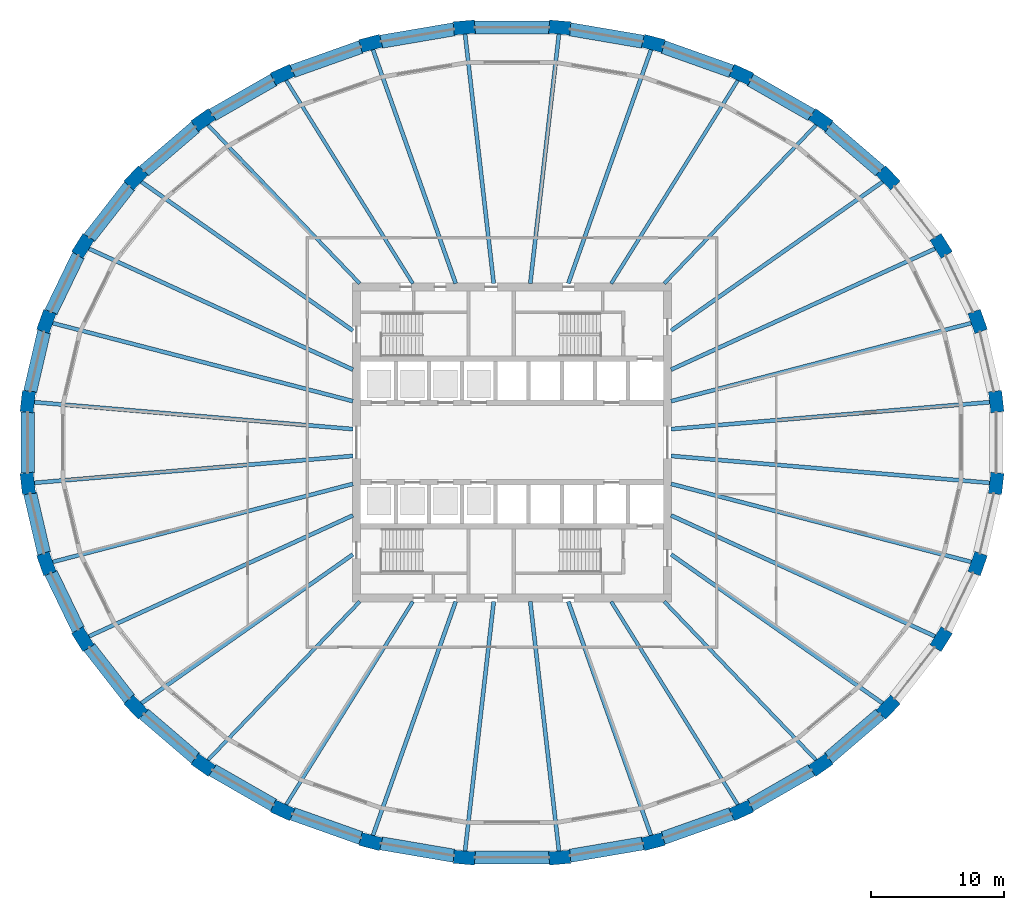
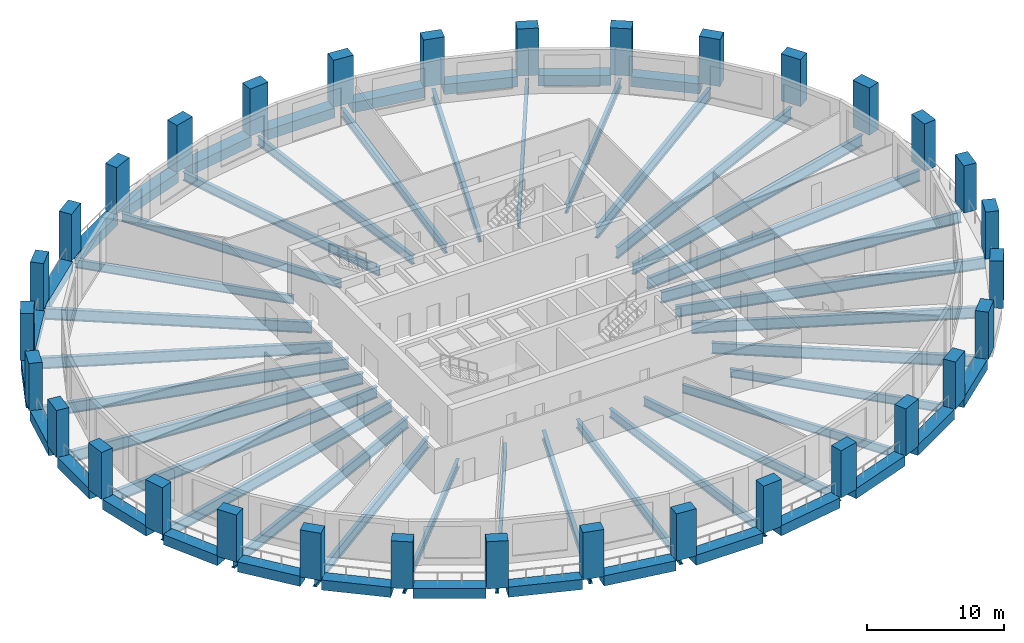
# One storey, part 1 of 11: 57 beams, 32 columns.
"""IFC4 building model written with IfcOpenShell, lengths in metres."""

from ifc_helpers import new_model, si_unit, direction, frame, origin, origin_2d, place, context, subcontext, project, spatial, rectangle, i_section, extrude, material, material_profile, profile_set, type_object, element, save


model = new_model("IFC4")

# Units and contexts
model_context = context("Model", 3, precision=1e-05, world=origin(), true_north=direction((0.0, 1.0)))
body_context = subcontext(model_context, "Body", "Model", "MODEL_VIEW")
ifc_project = project(units=[si_unit("LENGTHUNIT", "METRE"), si_unit("AREAUNIT", "SQUARE_METRE"), si_unit("VOLUMEUNIT", "CUBIC_METRE"), si_unit("PLANEANGLEUNIT", "RADIAN"), si_unit("MASSUNIT", "GRAM", prefix="KILO")], contexts=[model_context])

# Site, building, storey
site_placement = place(None, origin())
site = spatial("IfcSite", under=ifc_project, at=site_placement, CompositionType="ELEMENT")
building_placement = place(site_placement, origin())
building = spatial("IfcBuilding", under=site, at=building_placement, Name="Halqa Exchange Tower", CompositionType="ELEMENT")
storey_placement = place(building_placement, frame((0.0, 0.0, 78.10009765625)))
storey = spatial("IfcBuildingStorey", under=building, at=storey_placement, Name="L17", CompositionType="ELEMENT", Elevation=78.10009765625)

# Columns
ifc_material_1 = material(Name="Concrete C70/85", Category="concrete")
ifc_material_profile_1 = material_profile(ifc_material_1, rectangle(XDim=1.60009765625, YDim=1.0, at=origin_2d()), Name="1600 x 1000")
ifc_profile_set_1 = profile_set([ifc_material_profile_1], Name="Concrete C70/85")
column_type = type_object("IfcColumnType", Name="RC ring column 1600 x 1000 C70/85", PredefinedType="COLUMN", material=ifc_profile_set_1)
for number, where, z_axis, x_axis, name in (
    (1, (36.455078125, 3.07763671875, 0.0), (0.0, 0.0, 1.0), (-0.114151720218, 0.993463328348, 0.0), "Ring column 1"),
    (2, (35.05419921875, 9.114501953125, 0.0), (0.0, 0.0, 1.0), (-0.333624233576, 0.942706142321, 0.0), "Ring column 2"),
    (3, (32.30615234375, 14.80126953125, 0.0), (0.0, 0.0, 1.0), (-0.529144939165, 0.848531456904, 0.0), "Ring column 3"),
    (4, (28.316650390625, 19.9189453125, 0.0), (0.0, 0.0, 1.0), (-0.691578612608, 0.722301199351, 0.0), "Ring column 4"),
    (5, (23.23876953125, 24.271484375, 0.0), (0.0, 0.0, 1.0), (-0.817908788019, 0.57534790734, 0.0), "Ring column 5"),
    (6, (17.26806640625, 27.69091796875, 0.0), (0.0, 0.0, 1.0), (-0.909127095833, 0.416518815449, 0.0), "Ring column 6"),
    (7, (10.633544921875, 30.04638671875, 0.0), (0.0, 0.0, 1.0), (-0.967819942774, 0.251643713153, 0.0), "Ring column 7"),
    (8, (3.590576171875, 31.247314453125, 0.0), (0.0, 0.0, 1.0), (-0.996455518985, 0.084121333105, 0.0), "Ring column 8"),
    (9, (-3.590576171875, 31.247314453125, 0.0), (0.0, 0.0, 1.0), (-0.996455518985, -0.084121333105, 0.0), "Ring column 9"),
    (10, (-10.633544921875, 30.04638671875, 0.0), (0.0, 0.0, 1.0), (-0.967819942774, -0.251643713153, 0.0), "Ring column 10"),
    (11, (-17.26806640625, 27.69091796875, 0.0), (0.0, 0.0, 1.0), (-0.909127095833, -0.416518815449, 0.0), "Ring column 11"),
    (12, (-23.23876953125, 24.271484375, 0.0), (0.0, 0.0, 1.0), (-0.817908788019, -0.57534790734, 0.0), "Ring column 12"),
    (13, (-28.316650390625, 19.9189453125, 0.0), (0.0, 0.0, 1.0), (-0.691578612608, -0.722301199351, 0.0), "Ring column 13"),
    (14, (-32.30615234375, 14.80126953125, 0.0), (0.0, 0.0, 1.0), (-0.529144939165, -0.848531456904, 0.0), "Ring column 14"),
    (15, (-35.05419921875, 9.114501953125, 0.0), (0.0, 0.0, 1.0), (-0.333624233576, -0.942706142321, 0.0), "Ring column 15"),
    (16, (-36.455078125, 3.07763671875, 0.0), (0.0, 0.0, 1.0), (-0.114151720218, -0.993463328348, 0.0), "Ring column 16"),
    (17, (-36.455078125, -3.07763671875, 0.0), (0.0, 0.0, 1.0), (0.114151720218, -0.993463328348, 0.0), "Ring column 17"),
    (18, (-35.05419921875, -9.114501953125, 0.0), (0.0, 0.0, 1.0), (0.333624233576, -0.942706142321, 0.0), "Ring column 18"),
    (19, (-32.30615234375, -14.80126953125, 0.0), (0.0, 0.0, 1.0), (0.529144939165, -0.848531456904, 0.0), "Ring column 19"),
    (20, (-28.316650390625, -19.9189453125, 0.0), (0.0, 0.0, 1.0), (0.691578612608, -0.722301199351, 0.0), "Ring column 20"),
    (21, (-23.23876953125, -24.271484375, 0.0), (0.0, 0.0, 1.0), (0.817908788019, -0.57534790734, 0.0), "Ring column 21"),
    (22, (-17.26806640625, -27.69091796875, 0.0), (0.0, 0.0, 1.0), (0.909127095833, -0.416518815449, 0.0), "Ring column 22"),
    (23, (-10.633544921875, -30.04638671875, 0.0), (0.0, 0.0, 1.0), (0.967819942774, -0.251643713153, 0.0), "Ring column 23"),
    (24, (-3.590576171875, -31.247314453125, 0.0), (0.0, 0.0, 1.0), (0.996455518985, -0.084121333105, 0.0), "Ring column 24"),
    (25, (3.590576171875, -31.247314453125, 0.0), (0.0, 0.0, 1.0), (0.996455518985, 0.084121333105, 0.0), "Ring column 25"),
    (26, (10.633544921875, -30.04638671875, 0.0), (0.0, 0.0, 1.0), (0.967819942774, 0.251643713153, 0.0), "Ring column 26"),
    (27, (17.26806640625, -27.69091796875, 0.0), (0.0, 0.0, 1.0), (0.909127095833, 0.416518815449, 0.0), "Ring column 27"),
    (28, (23.23876953125, -24.271484375, 0.0), (0.0, 0.0, 1.0), (0.817908788019, 0.57534790734, 0.0), "Ring column 28"),
    (29, (28.316650390625, -19.9189453125, 0.0), (0.0, 0.0, 1.0), (0.691578612608, 0.722301199351, 0.0), "Ring column 29"),
    (30, (32.30615234375, -14.80126953125, 0.0), (0.0, 0.0, 1.0), (0.529144939165, 0.848531456904, 0.0), "Ring column 30"),
    (31, (35.05419921875, -9.114501953125, 0.0), (0.0, 0.0, 1.0), (0.333624233576, 0.942706142321, 0.0), "Ring column 31"),
    (32, (36.455078125, -3.07763671875, 0.0), (0.0, 0.0, 1.0), (0.114151720218, 0.993463328348, 0.0), "Ring column 32"),
):
    element("IfcColumn", number, at=place(storey_placement, frame(where, z_axis=z_axis, x_axis=x_axis)), inside=storey, type_object=column_type, Name=name, PredefinedType="COLUMN", context=body_context, shape_type="SweptSolid", body=[
        extrude(rectangle(XDim=1.60009765625, YDim=1.0, at=origin_2d()), origin(), (0.0, 0.0, 1.0), 4.199951171875),
    ])

# Beams
ifc_material_2 = material(Name="Steel S355", Category="steel")
ifc_material_profile_2 = material_profile(ifc_material_2, i_section(OverallWidth=0.300048828125, OverallDepth=0.989990234375, WebThickness=0.0166015625, FlangeThickness=0.031005859375, FilletRadius=0.030029296875, at=origin_2d()), Name="HEA 1000")
ifc_profile_set_2 = profile_set([ifc_material_profile_2], Name="Steel S355")
beam_type_1 = type_object("IfcBeamType", Name="Floor beam HEA 1000", PredefinedType="BEAM", material=ifc_profile_set_2)
beam_1_placement = place(storey_placement, frame((11.97119140625, 3.11279296875, -0.795166015625), z_axis=(0.96782037936, 0.251642034038, 0.0), x_axis=(-0.251642034038, 0.96782037936, 0.0)))
element("IfcBeam", 33, at=beam_1_placement, inside=storey, type_object=beam_type_1, Name="Radial beam 2", PredefinedType="BEAM", context=body_context, shape_type="SweptSolid", body=[
    extrude(i_section(OverallWidth=0.300048828125, OverallDepth=0.989990234375, WebThickness=0.0166015625, FlangeThickness=0.031005859375, FilletRadius=0.030029296875, at=origin_2d()), origin(), (0.0, 0.0, 1.0), 23.4765625),
])
beam_2_placement = place(storey_placement, frame((11.972412109375, 5.485107421875, -0.795166015625), z_axis=(0.909125962818, 0.416521288447, 0.0), x_axis=(-0.416521288447, 0.909125962818, 0.0)))
element("IfcBeam", 34, at=beam_2_placement, inside=storey, type_object=beam_type_1, Name="Radial beam 3", PredefinedType="BEAM", context=body_context, shape_type="SweptSolid", body=[
    extrude(i_section(OverallWidth=0.300048828125, OverallDepth=0.989990234375, WebThickness=0.0166015625, FlangeThickness=0.031005859375, FilletRadius=0.030029296875, at=origin_2d()), origin(), (0.0, 0.0, 1.0), 21.990234375),
])
for number, where, z_axis, x_axis, name in (
    (35, (11.972412109375, 8.421875, -0.795166015625), (0.817908853803, 0.575347813823, 0.0), (-0.575347813823, 0.817908853803, 0.0), "Radial beam 4"),
    (36, (-11.972412109375, 8.421875, -0.795166015625), (-0.817908853803, 0.575347813823, 0.0), (-0.575347813823, -0.817908853803, 0.0), "Radial beam 13"),
):
    element("IfcBeam", number, at=place(storey_placement, frame(where, z_axis=z_axis, x_axis=x_axis)), inside=storey, type_object=beam_type_1, Name=name, PredefinedType="BEAM", context=body_context, shape_type="SweptSolid", body=[
        extrude(i_section(OverallWidth=0.300048828125, OverallDepth=0.989990234375, WebThickness=0.0166015625, FlangeThickness=0.031005859375, FilletRadius=0.030029296875, at=origin_2d()), origin(), (0.0, 0.0, 1.0), 19.60693359375),
    ])
beam_3_placement = place(storey_placement, frame((-11.972412109375, 5.485107421875, -0.795166015625), z_axis=(-0.909125962818, 0.416521288447, 0.0), x_axis=(-0.416521288447, -0.909125962818, 0.0)))
element("IfcBeam", 37, at=beam_3_placement, inside=storey, type_object=beam_type_1, Name="Radial beam 14", PredefinedType="BEAM", context=body_context, shape_type="SweptSolid", body=[
    extrude(i_section(OverallWidth=0.300048828125, OverallDepth=0.989990234375, WebThickness=0.0166015625, FlangeThickness=0.031005859375, FilletRadius=0.030029296875, at=origin_2d()), origin(), (0.0, 0.0, 1.0), 21.990234375),
])
for number, where, z_axis, x_axis, name in (
    (38, (-11.97119140625, 3.11279296875, -0.795166015625), (-0.96782037936, 0.251642034038, 0.0), (-0.251642034038, -0.96782037936, 0.0), "Radial beam 15"),
    (39, (-11.97119140625, -3.11279296875, -0.795166015625), (-0.96782037936, -0.251642034038, 0.0), (0.251642034038, -0.96782037936, 0.0), "Radial beam 18"),
):
    element("IfcBeam", number, at=place(storey_placement, frame(where, z_axis=z_axis, x_axis=x_axis)), inside=storey, type_object=beam_type_1, Name=name, PredefinedType="BEAM", context=body_context, shape_type="SweptSolid", body=[
        extrude(i_section(OverallWidth=0.300048828125, OverallDepth=0.989990234375, WebThickness=0.0166015625, FlangeThickness=0.031005859375, FilletRadius=0.030029296875, at=origin_2d()), origin(), (0.0, 0.0, 1.0), 23.4765625),
    ])
beam_4_placement = place(storey_placement, frame((-11.972412109375, -5.485107421875, -0.795166015625), z_axis=(-0.909125962818, -0.416521288447, 0.0), x_axis=(0.416521288447, -0.909125962818, 0.0)))
element("IfcBeam", 40, at=beam_4_placement, inside=storey, type_object=beam_type_1, Name="Radial beam 19", PredefinedType="BEAM", context=body_context, shape_type="SweptSolid", body=[
    extrude(i_section(OverallWidth=0.300048828125, OverallDepth=0.989990234375, WebThickness=0.0166015625, FlangeThickness=0.031005859375, FilletRadius=0.030029296875, at=origin_2d()), origin(), (0.0, 0.0, 1.0), 21.990234375),
])
for number, where, z_axis, x_axis, name in (
    (41, (-11.972412109375, -8.421875, -0.795166015625), (-0.817908853803, -0.575347813823, 0.0), (0.575347813823, -0.817908853803, 0.0), "Radial beam 20"),
    (42, (11.972412109375, -8.421875, -0.795166015625), (0.817908853803, -0.575347813823, 0.0), (0.575347813823, 0.817908853803, 0.0), "Radial beam 29"),
):
    element("IfcBeam", number, at=place(storey_placement, frame(where, z_axis=z_axis, x_axis=x_axis)), inside=storey, type_object=beam_type_1, Name=name, PredefinedType="BEAM", context=body_context, shape_type="SweptSolid", body=[
        extrude(i_section(OverallWidth=0.300048828125, OverallDepth=0.989990234375, WebThickness=0.0166015625, FlangeThickness=0.031005859375, FilletRadius=0.030029296875, at=origin_2d()), origin(), (0.0, 0.0, 1.0), 19.60693359375),
    ])
beam_5_placement = place(storey_placement, frame((11.972412109375, -5.485107421875, -0.795166015625), z_axis=(0.909125962818, -0.416521288447, 0.0), x_axis=(0.416521288447, 0.909125962818, 0.0)))
element("IfcBeam", 43, at=beam_5_placement, inside=storey, type_object=beam_type_1, Name="Radial beam 30", PredefinedType="BEAM", context=body_context, shape_type="SweptSolid", body=[
    extrude(i_section(OverallWidth=0.300048828125, OverallDepth=0.989990234375, WebThickness=0.0166015625, FlangeThickness=0.031005859375, FilletRadius=0.030029296875, at=origin_2d()), origin(), (0.0, 0.0, 1.0), 21.990234375),
])
beam_6_placement = place(storey_placement, frame((11.97119140625, -3.11279296875, -0.795166015625), z_axis=(0.96782037936, -0.251642034038, 0.0), x_axis=(0.251642034038, 0.96782037936, 0.0)))
element("IfcBeam", 44, at=beam_6_placement, inside=storey, type_object=beam_type_1, Name="Radial beam 31", PredefinedType="BEAM", context=body_context, shape_type="SweptSolid", body=[
    extrude(i_section(OverallWidth=0.300048828125, OverallDepth=0.989990234375, WebThickness=0.0166015625, FlangeThickness=0.031005859375, FilletRadius=0.030029296875, at=origin_2d()), origin(), (0.0, 0.0, 1.0), 23.4765625),
])
ifc_material_profile_3 = material_profile(ifc_material_2, i_section(OverallWidth=0.300048828125, OverallDepth=0.7900390625, WebThickness=0.014892578125, FlangeThickness=0.028076171875, FilletRadius=0.030029296875, at=origin_2d()), Name="HEA 800")
ifc_profile_set_3 = profile_set([ifc_material_profile_3], Name="Steel S355")
beam_type_2 = type_object("IfcBeamType", Name="Floor beam HEA 800", PredefinedType="BEAM", material=ifc_profile_set_3)
beam_7_placement = place(storey_placement, frame((4.23681640625, 11.971923828125, -0.695068359375), z_axis=(0.333632452214, 0.942703233701, 0.0), x_axis=(-0.942703233701, 0.333632452214, 0.0)))
element("IfcBeam", 45, at=beam_7_placement, inside=storey, type_object=beam_type_2, Name="Radial beam 7", PredefinedType="BEAM", context=body_context, shape_type="SweptSolid", body=[
    extrude(i_section(OverallWidth=0.300048828125, OverallDepth=0.7900390625, WebThickness=0.014892578125, FlangeThickness=0.028076171875, FilletRadius=0.030029296875, at=origin_2d()), origin(), (0.0, 0.0, 1.0), 18.799072265625),
])
for number, where, z_axis, x_axis, name in (
    (46, (1.375732421875, 11.972900390625, -0.695068359375), (0.114159525725, 0.993462431442, 0.0), (-0.993462431442, 0.114159525725, 0.0), "Radial beam 8"),
    (47, (-1.375732421875, 11.972900390625, -0.695068359375), (-0.114159525725, 0.993462431442, 0.0), (-0.993462431442, -0.114159525725, 0.0), "Radial beam 9"),
):
    element("IfcBeam", number, at=place(storey_placement, frame(where, z_axis=z_axis, x_axis=x_axis)), inside=storey, type_object=beam_type_2, Name=name, PredefinedType="BEAM", context=body_context, shape_type="SweptSolid", body=[
        extrude(i_section(OverallWidth=0.300048828125, OverallDepth=0.7900390625, WebThickness=0.014892578125, FlangeThickness=0.028076171875, FilletRadius=0.030029296875, at=origin_2d()), origin(), (0.0, 0.0, 1.0), 19.029296875),
    ])
for number, where, z_axis, x_axis, name in (
    (48, (-4.23681640625, 11.971923828125, -0.695068359375), (-0.333632452214, 0.942703233701, 0.0), (-0.942703233701, -0.333632452214, 0.0), "Radial beam 10"),
    (49, (-4.23681640625, -11.971923828125, -0.695068359375), (-0.333632452214, -0.942703233701, 0.0), (0.942703233701, -0.333632452214, 0.0), "Radial beam 23"),
):
    element("IfcBeam", number, at=place(storey_placement, frame(where, z_axis=z_axis, x_axis=x_axis)), inside=storey, type_object=beam_type_2, Name=name, PredefinedType="BEAM", context=body_context, shape_type="SweptSolid", body=[
        extrude(i_section(OverallWidth=0.300048828125, OverallDepth=0.7900390625, WebThickness=0.014892578125, FlangeThickness=0.028076171875, FilletRadius=0.030029296875, at=origin_2d()), origin(), (0.0, 0.0, 1.0), 18.799072265625),
    ])
for number, where, z_axis, x_axis, name in (
    (50, (-1.375732421875, -11.972900390625, -0.695068359375), (-0.114159525725, -0.993462431442, 0.0), (0.993462431442, -0.114159525725, 0.0), "Radial beam 24"),
    (51, (1.375732421875, -11.972900390625, -0.695068359375), (0.114159525725, -0.993462431442, 0.0), (0.993462431442, 0.114159525725, 0.0), "Radial beam 25"),
):
    element("IfcBeam", number, at=place(storey_placement, frame(where, z_axis=z_axis, x_axis=x_axis)), inside=storey, type_object=beam_type_2, Name=name, PredefinedType="BEAM", context=body_context, shape_type="SweptSolid", body=[
        extrude(i_section(OverallWidth=0.300048828125, OverallDepth=0.7900390625, WebThickness=0.014892578125, FlangeThickness=0.028076171875, FilletRadius=0.030029296875, at=origin_2d()), origin(), (0.0, 0.0, 1.0), 19.029296875),
    ])
beam_8_placement = place(storey_placement, frame((4.23681640625, -11.971923828125, -0.695068359375), z_axis=(0.333632452214, -0.942703233701, 0.0), x_axis=(0.942703233701, 0.333632452214, 0.0)))
element("IfcBeam", 52, at=beam_8_placement, inside=storey, type_object=beam_type_2, Name="Radial beam 26", PredefinedType="BEAM", context=body_context, shape_type="SweptSolid", body=[
    extrude(i_section(OverallWidth=0.300048828125, OverallDepth=0.7900390625, WebThickness=0.014892578125, FlangeThickness=0.028076171875, FilletRadius=0.030029296875, at=origin_2d()), origin(), (0.0, 0.0, 1.0), 18.799072265625),
])
ifc_material_profile_4 = material_profile(ifc_material_2, i_section(OverallWidth=0.302001953125, OverallDepth=1.008056640625, WebThickness=0.02099609375, FlangeThickness=0.0400390625, FilletRadius=0.030029296875, at=origin_2d()), Name="HEM 1000")
ifc_profile_set_4 = profile_set([ifc_material_profile_4], Name="Steel S355")
beam_type_3 = type_object("IfcBeamType", Name="Floor beam HEM 1000", PredefinedType="BEAM", material=ifc_profile_set_4)
for number, where, z_axis, x_axis, name in (
    (53, (11.972412109375, 1.0107421875, -0.80419921875), (0.996455204188, 0.084125061941, 0.0), (-0.084125061941, 0.996455204188, 0.0), "Radial beam 1"),
    (54, (-11.972412109375, 1.0107421875, -0.80419921875), (-0.996455204188, 0.084125061941, 0.0), (-0.084125061941, -0.996455204188, 0.0), "Radial beam 16"),
    (55, (-11.972412109375, -1.0107421875, -0.80419921875), (-0.996455204188, -0.084125061941, 0.0), (0.084125061941, -0.996455204188, 0.0), "Radial beam 17"),
    (56, (11.972412109375, -1.0107421875, -0.80419921875), (0.996455204188, -0.084125061941, 0.0), (0.084125061941, 0.996455204188, 0.0), "Radial beam 32"),
):
    element("IfcBeam", number, at=place(storey_placement, frame(where, z_axis=z_axis, x_axis=x_axis)), inside=storey, type_object=beam_type_3, Name=name, PredefinedType="BEAM", context=body_context, shape_type="SweptSolid", body=[
        extrude(i_section(OverallWidth=0.302001953125, OverallDepth=1.008056640625, WebThickness=0.02099609375, FlangeThickness=0.0400390625, FilletRadius=0.030029296875, at=origin_2d()), origin(), (0.0, 0.0, 1.0), 24.19775390625),
    ])
ifc_material_profile_5 = material_profile(ifc_material_2, i_section(OverallWidth=0.264892578125, OverallDepth=0.7529296875, WebThickness=0.01318359375, FlangeThickness=0.01708984375, FilletRadius=0.01708984375, at=origin_2d()), Name="IPE 750x147")
ifc_profile_set_5 = profile_set([ifc_material_profile_5], Name="Steel S355")
beam_type_4 = type_object("IfcBeamType", Name="Floor beam IPE 750x147", PredefinedType="BEAM", material=ifc_profile_set_5)
beam_9_placement = place(storey_placement, frame((11.462890625, 11.97216796875, -0.676513671875), z_axis=(0.691574428676, 0.722305205299, 0.0), x_axis=(-0.722305205299, 0.691574428676, 0.0)))
element("IfcBeam", 57, at=beam_9_placement, inside=storey, type_object=beam_type_4, Name="Radial beam 5", PredefinedType="BEAM", context=body_context, shape_type="SweptSolid", body=[
    extrude(i_section(OverallWidth=0.264892578125, OverallDepth=0.7529296875, WebThickness=0.01318359375, FlangeThickness=0.01708984375, FilletRadius=0.01708984375, at=origin_2d()), origin(), (0.0, 0.0, 1.0), 16.651611328125),
])
for number, where, z_axis, x_axis, name in (
    (58, (7.466064453125, 11.972412109375, -0.676513671875), (0.529136503595, 0.848536717275, 0.0), (-0.848536717275, 0.529136503595, 0.0), "Radial beam 6"),
    (59, (-7.466064453125, 11.972412109375, -0.676513671875), (-0.529136503595, 0.848536717275, 0.0), (-0.848536717275, -0.529136503595, 0.0), "Radial beam 11"),
):
    element("IfcBeam", number, at=place(storey_placement, frame(where, z_axis=z_axis, x_axis=x_axis)), inside=storey, type_object=beam_type_4, Name=name, PredefinedType="BEAM", context=body_context, shape_type="SweptSolid", body=[
        extrude(i_section(OverallWidth=0.264892578125, OverallDepth=0.7529296875, WebThickness=0.01318359375, FlangeThickness=0.01708984375, FilletRadius=0.01708984375, at=origin_2d()), origin(), (0.0, 0.0, 1.0), 18.1484375),
    ])
for number, where, z_axis, x_axis, name in (
    (60, (-11.462890625, 11.97216796875, -0.676513671875), (-0.691574428676, 0.722305205299, 0.0), (-0.722305205299, -0.691574428676, 0.0), "Radial beam 12"),
    (61, (-11.462890625, -11.97216796875, -0.676513671875), (-0.691574428676, -0.722305205299, 0.0), (0.722305205299, -0.691574428676, 0.0), "Radial beam 21"),
):
    element("IfcBeam", number, at=place(storey_placement, frame(where, z_axis=z_axis, x_axis=x_axis)), inside=storey, type_object=beam_type_4, Name=name, PredefinedType="BEAM", context=body_context, shape_type="SweptSolid", body=[
        extrude(i_section(OverallWidth=0.264892578125, OverallDepth=0.7529296875, WebThickness=0.01318359375, FlangeThickness=0.01708984375, FilletRadius=0.01708984375, at=origin_2d()), origin(), (0.0, 0.0, 1.0), 16.651611328125),
    ])
for number, where, z_axis, x_axis, name in (
    (62, (-7.466064453125, -11.972412109375, -0.676513671875), (-0.529136503595, -0.848536717275, 0.0), (0.848536717275, -0.529136503595, 0.0), "Radial beam 22"),
    (63, (7.466064453125, -11.972412109375, -0.676513671875), (0.529136503595, -0.848536717275, 0.0), (0.848536717275, 0.529136503595, 0.0), "Radial beam 27"),
):
    element("IfcBeam", number, at=place(storey_placement, frame(where, z_axis=z_axis, x_axis=x_axis)), inside=storey, type_object=beam_type_4, Name=name, PredefinedType="BEAM", context=body_context, shape_type="SweptSolid", body=[
        extrude(i_section(OverallWidth=0.264892578125, OverallDepth=0.7529296875, WebThickness=0.01318359375, FlangeThickness=0.01708984375, FilletRadius=0.01708984375, at=origin_2d()), origin(), (0.0, 0.0, 1.0), 18.1484375),
    ])
beam_10_placement = place(storey_placement, frame((11.462890625, -11.97216796875, -0.676513671875), z_axis=(0.691574428676, -0.722305205299, 0.0), x_axis=(0.722305205299, 0.691574428676, 0.0)))
element("IfcBeam", 64, at=beam_10_placement, inside=storey, type_object=beam_type_4, Name="Radial beam 28", PredefinedType="BEAM", context=body_context, shape_type="SweptSolid", body=[
    extrude(i_section(OverallWidth=0.264892578125, OverallDepth=0.7529296875, WebThickness=0.01318359375, FlangeThickness=0.01708984375, FilletRadius=0.01708984375, at=origin_2d()), origin(), (0.0, 0.0, 1.0), 16.651611328125),
])
ifc_material_3 = material(Name="Concrete C60/75", Category="concrete")
ifc_material_profile_6 = material_profile(ifc_material_3, rectangle(XDim=1.0, YDim=0.89990234375, at=origin_2d()), Name="1000 x 900")
ifc_profile_set_6 = profile_set([ifc_material_profile_6], Name="Concrete C60/75")
beam_type_5 = type_object("IfcBeamType", Name="RC spandrel beam 1000 x 900 C60/75", PredefinedType="SPANDREL", material=ifc_profile_set_6)
beam_11_placement = place(storey_placement, frame((27.728271484375, 20.42333984375, -0.4501953125), z_axis=(-0.759270020375, 0.650775718784, 0.0), x_axis=(-0.650775718784, -0.759270020375, 0.0)))
element("IfcBeam", 65, at=beam_11_placement, inside=storey, type_object=beam_type_5, Name="Spandrel 4", PredefinedType="SPANDREL", context=body_context, shape_type="SweptSolid", body=[
    extrude(rectangle(XDim=1.0, YDim=0.89990234375, at=origin_2d()), origin(), (0.0, 0.0, 1.0), 5.137451171875),
])
beam_12_placement = place(storey_placement, frame((22.566650390625, 24.65625, -0.4501953125), z_axis=(-0.867746673775, 0.49700675061, 0.0), x_axis=(-0.49700675061, -0.867746673775, 0.0)))
element("IfcBeam", 66, at=beam_12_placement, inside=storey, type_object=beam_type_5, Name="Spandrel 5", PredefinedType="SPANDREL", context=body_context, shape_type="SweptSolid", body=[
    extrude(rectangle(XDim=1.0, YDim=0.89990234375, at=origin_2d()), origin(), (0.0, 0.0, 1.0), 5.330810546875),
])
beam_13_placement = place(storey_placement, frame((16.5380859375, 27.9501953125, -0.4501953125), z_axis=(-0.942372121283, 0.334566562926, 0.0), x_axis=(-0.334566562926, -0.942372121283, 0.0)))
element("IfcBeam", 67, at=beam_13_placement, inside=storey, type_object=beam_type_5, Name="Spandrel 6", PredefinedType="SPANDREL", context=body_context, shape_type="SweptSolid", body=[
    extrude(rectangle(XDim=1.0, YDim=0.89990234375, at=origin_2d()), origin(), (0.0, 0.0, 1.0), 5.48974609375),
])
beam_14_placement = place(storey_placement, frame((9.869384765625, 30.1767578125, -0.4501953125), z_axis=(-0.985777362137, 0.168056515188, 0.0), x_axis=(-0.168056515188, -0.985777362137, 0.0)))
element("IfcBeam", 68, at=beam_14_placement, inside=storey, type_object=beam_type_5, Name="Spandrel 7", PredefinedType="SPANDREL", context=body_context, shape_type="SweptSolid", body=[
    extrude(rectangle(XDim=1.0, YDim=0.89990234375, at=origin_2d()), origin(), (0.0, 0.0, 1.0), 5.594482421875),
])
beam_15_placement = place(storey_placement, frame((2.815673828125, 31.247314453125, -0.4501953125), z_axis=(-1.0, 0.0, 0.0), x_axis=(0.0, -1.0, 0.0)))
element("IfcBeam", 69, at=beam_15_placement, inside=storey, type_object=beam_type_5, Name="Spandrel 8", PredefinedType="SPANDREL", context=body_context, shape_type="SweptSolid", body=[
    extrude(rectangle(XDim=1.0, YDim=0.89990234375, at=origin_2d()), origin(), (0.0, 0.0, 1.0), 5.63134765625),
])
beam_16_placement = place(storey_placement, frame((-4.3544921875, 31.116943359375, -0.4501953125), z_axis=(-0.985777362137, -0.168056515188, 0.0), x_axis=(0.168056515188, -0.985777362137, 0.0)))
element("IfcBeam", 70, at=beam_16_placement, inside=storey, type_object=beam_type_5, Name="Spandrel 9", PredefinedType="SPANDREL", context=body_context, shape_type="SweptSolid", body=[
    extrude(rectangle(XDim=1.0, YDim=0.89990234375, at=origin_2d()), origin(), (0.0, 0.0, 1.0), 5.594482421875),
])
beam_17_placement = place(storey_placement, frame((-11.36474609375, 29.786865234375, -0.4501953125), z_axis=(-0.942372121283, -0.334566562926, 0.0), x_axis=(0.334566562926, -0.942372121283, 0.0)))
element("IfcBeam", 71, at=beam_17_placement, inside=storey, type_object=beam_type_5, Name="Spandrel 10", PredefinedType="SPANDREL", context=body_context, shape_type="SweptSolid", body=[
    extrude(rectangle(XDim=1.0, YDim=0.89990234375, at=origin_2d()), origin(), (0.0, 0.0, 1.0), 5.48974609375),
])
beam_18_placement = place(storey_placement, frame((-17.94091796875, 27.3056640625, -0.4501953125), z_axis=(-0.867746673775, -0.49700675061, 0.0), x_axis=(0.49700675061, -0.867746673775, 0.0)))
element("IfcBeam", 72, at=beam_18_placement, inside=storey, type_object=beam_type_5, Name="Spandrel 11", PredefinedType="SPANDREL", context=body_context, shape_type="SweptSolid", body=[
    extrude(rectangle(XDim=1.0, YDim=0.89990234375, at=origin_2d()), origin(), (0.0, 0.0, 1.0), 5.330810546875),
])
beam_19_placement = place(storey_placement, frame((-23.82763671875, 23.7666015625, -0.4501953125), z_axis=(-0.759270020375, -0.650775718784, 0.0), x_axis=(0.650775718784, -0.759270020375, 0.0)))
element("IfcBeam", 73, at=beam_19_placement, inside=storey, type_object=beam_type_5, Name="Spandrel 12", PredefinedType="SPANDREL", context=body_context, shape_type="SweptSolid", body=[
    extrude(rectangle(XDim=1.0, YDim=0.89990234375, at=origin_2d()), origin(), (0.0, 0.0, 1.0), 5.137451171875),
])
beam_20_placement = place(storey_placement, frame((-28.793701171875, 19.306884765625, -0.4501953125), z_axis=(-0.614823356822, -0.788664846374, 0.0), x_axis=(0.788664846374, -0.614823356822, 0.0)))
element("IfcBeam", 74, at=beam_20_placement, inside=storey, type_object=beam_type_5, Name="Spandrel 13", PredefinedType="SPANDREL", context=body_context, shape_type="SweptSolid", body=[
    extrude(rectangle(XDim=1.0, YDim=0.89990234375, at=origin_2d()), origin(), (0.0, 0.0, 1.0), 4.937744140625),
])
beam_21_placement = place(storey_placement, frame((-32.64404296875, 14.10205078125, -0.4501953125), z_axis=(-0.435134718336, -0.900365357452, 0.0), x_axis=(0.900365357452, -0.435134718336, 0.0)))
element("IfcBeam", 75, at=beam_21_placement, inside=storey, type_object=beam_type_5, Name="Spandrel 14", PredefinedType="SPANDREL", context=body_context, shape_type="SweptSolid", body=[
    extrude(rectangle(XDim=1.0, YDim=0.89990234375, at=origin_2d()), origin(), (0.0, 0.0, 1.0), 4.76171875),
])
beam_22_placement = place(storey_placement, frame((-35.229736328125, 8.358154296875, -0.4501953125), z_axis=(-0.226061116023, -0.97411312065, 0.0), x_axis=(0.97411312065, -0.226061116023, 0.0)))
element("IfcBeam", 76, at=beam_22_placement, inside=storey, type_object=beam_type_5, Name="Spandrel 15", PredefinedType="SPANDREL", context=body_context, shape_type="SweptSolid", body=[
    extrude(rectangle(XDim=1.0, YDim=0.89990234375, at=origin_2d()), origin(), (0.0, 0.0, 1.0), 4.643798828125),
])
beam_23_placement = place(storey_placement, frame((-36.455078125, 2.30029296875, -0.4501953125), z_axis=(0.0, -1.0, 0.0), x_axis=(1.0, 0.0, 0.0)))
element("IfcBeam", 77, at=beam_23_placement, inside=storey, type_object=beam_type_5, Name="Spandrel 16", PredefinedType="SPANDREL", context=body_context, shape_type="SweptSolid", body=[
    extrude(rectangle(XDim=1.0, YDim=0.89990234375, at=origin_2d()), origin(), (0.0, 0.0, 1.0), 4.6005859375),
])
beam_24_placement = place(storey_placement, frame((-36.279541015625, -3.83447265625, -0.4501953125), z_axis=(0.226061116023, -0.97411312065, 0.0), x_axis=(0.97411312065, 0.226061116023, 0.0)))
element("IfcBeam", 78, at=beam_24_placement, inside=storey, type_object=beam_type_5, Name="Spandrel 17", PredefinedType="SPANDREL", context=body_context, shape_type="SweptSolid", body=[
    extrude(rectangle(XDim=1.0, YDim=0.89990234375, at=origin_2d()), origin(), (0.0, 0.0, 1.0), 4.643798828125),
])
beam_25_placement = place(storey_placement, frame((-34.716064453125, -9.814697265625, -0.4501953125), z_axis=(0.435134718336, -0.900365357452, 0.0), x_axis=(0.900365357452, 0.435134718336, 0.0)))
element("IfcBeam", 79, at=beam_25_placement, inside=storey, type_object=beam_type_5, Name="Spandrel 18", PredefinedType="SPANDREL", context=body_context, shape_type="SweptSolid", body=[
    extrude(rectangle(XDim=1.0, YDim=0.89990234375, at=origin_2d()), origin(), (0.0, 0.0, 1.0), 4.76171875),
])
beam_26_placement = place(storey_placement, frame((-31.82958984375, -15.41259765625, -0.4501953125), z_axis=(0.614823356822, -0.788664846374, 0.0), x_axis=(0.788664846374, 0.614823356822, 0.0)))
element("IfcBeam", 80, at=beam_26_placement, inside=storey, type_object=beam_type_5, Name="Spandrel 19", PredefinedType="SPANDREL", context=body_context, shape_type="SweptSolid", body=[
    extrude(rectangle(XDim=1.0, YDim=0.89990234375, at=origin_2d()), origin(), (0.0, 0.0, 1.0), 4.937744140625),
])
beam_27_placement = place(storey_placement, frame((-27.728271484375, -20.42333984375, -0.4501953125), z_axis=(0.759270020375, -0.650775718784, 0.0), x_axis=(0.650775718784, 0.759270020375, 0.0)))
element("IfcBeam", 81, at=beam_27_placement, inside=storey, type_object=beam_type_5, Name="Spandrel 20", PredefinedType="SPANDREL", context=body_context, shape_type="SweptSolid", body=[
    extrude(rectangle(XDim=1.0, YDim=0.89990234375, at=origin_2d()), origin(), (0.0, 0.0, 1.0), 5.137451171875),
])
beam_28_placement = place(storey_placement, frame((-22.566650390625, -24.65625, -0.4501953125), z_axis=(0.867746673775, -0.49700675061, 0.0), x_axis=(0.49700675061, 0.867746673775, 0.0)))
element("IfcBeam", 82, at=beam_28_placement, inside=storey, type_object=beam_type_5, Name="Spandrel 21", PredefinedType="SPANDREL", context=body_context, shape_type="SweptSolid", body=[
    extrude(rectangle(XDim=1.0, YDim=0.89990234375, at=origin_2d()), origin(), (0.0, 0.0, 1.0), 5.330810546875),
])
beam_29_placement = place(storey_placement, frame((-16.5380859375, -27.9501953125, -0.4501953125), z_axis=(0.942372121283, -0.334566562926, 0.0), x_axis=(0.334566562926, 0.942372121283, 0.0)))
element("IfcBeam", 83, at=beam_29_placement, inside=storey, type_object=beam_type_5, Name="Spandrel 22", PredefinedType="SPANDREL", context=body_context, shape_type="SweptSolid", body=[
    extrude(rectangle(XDim=1.0, YDim=0.89990234375, at=origin_2d()), origin(), (0.0, 0.0, 1.0), 5.48974609375),
])
beam_30_placement = place(storey_placement, frame((-9.869384765625, -30.1767578125, -0.4501953125), z_axis=(0.985777362137, -0.168056515188, 0.0), x_axis=(0.168056515188, 0.985777362137, 0.0)))
element("IfcBeam", 84, at=beam_30_placement, inside=storey, type_object=beam_type_5, Name="Spandrel 23", PredefinedType="SPANDREL", context=body_context, shape_type="SweptSolid", body=[
    extrude(rectangle(XDim=1.0, YDim=0.89990234375, at=origin_2d()), origin(), (0.0, 0.0, 1.0), 5.594482421875),
])
beam_31_placement = place(storey_placement, frame((-2.815673828125, -31.247314453125, -0.4501953125), z_axis=(1.0, 0.0, 0.0), x_axis=(0.0, 1.0, 0.0)))
element("IfcBeam", 85, at=beam_31_placement, inside=storey, type_object=beam_type_5, Name="Spandrel 24", PredefinedType="SPANDREL", context=body_context, shape_type="SweptSolid", body=[
    extrude(rectangle(XDim=1.0, YDim=0.89990234375, at=origin_2d()), origin(), (0.0, 0.0, 1.0), 5.63134765625),
])
beam_32_placement = place(storey_placement, frame((4.3544921875, -31.116943359375, -0.4501953125), z_axis=(0.985777362137, 0.168056515188, 0.0), x_axis=(-0.168056515188, 0.985777362137, 0.0)))
element("IfcBeam", 86, at=beam_32_placement, inside=storey, type_object=beam_type_5, Name="Spandrel 25", PredefinedType="SPANDREL", context=body_context, shape_type="SweptSolid", body=[
    extrude(rectangle(XDim=1.0, YDim=0.89990234375, at=origin_2d()), origin(), (0.0, 0.0, 1.0), 5.594482421875),
])
beam_33_placement = place(storey_placement, frame((11.36474609375, -29.786865234375, -0.4501953125), z_axis=(0.942372121283, 0.334566562926, 0.0), x_axis=(-0.334566562926, 0.942372121283, 0.0)))
element("IfcBeam", 87, at=beam_33_placement, inside=storey, type_object=beam_type_5, Name="Spandrel 26", PredefinedType="SPANDREL", context=body_context, shape_type="SweptSolid", body=[
    extrude(rectangle(XDim=1.0, YDim=0.89990234375, at=origin_2d()), origin(), (0.0, 0.0, 1.0), 5.48974609375),
])
beam_34_placement = place(storey_placement, frame((17.94091796875, -27.3056640625, -0.4501953125), z_axis=(0.867746673775, 0.49700675061, 0.0), x_axis=(-0.49700675061, 0.867746673775, 0.0)))
element("IfcBeam", 88, at=beam_34_placement, inside=storey, type_object=beam_type_5, Name="Spandrel 27", PredefinedType="SPANDREL", context=body_context, shape_type="SweptSolid", body=[
    extrude(rectangle(XDim=1.0, YDim=0.89990234375, at=origin_2d()), origin(), (0.0, 0.0, 1.0), 5.330810546875),
])
beam_35_placement = place(storey_placement, frame((23.82763671875, -23.7666015625, -0.4501953125), z_axis=(0.759270020375, 0.650775718784, 0.0), x_axis=(-0.650775718784, 0.759270020375, 0.0)))
element("IfcBeam", 89, at=beam_35_placement, inside=storey, type_object=beam_type_5, Name="Spandrel 28", PredefinedType="SPANDREL", context=body_context, shape_type="SweptSolid", body=[
    extrude(rectangle(XDim=1.0, YDim=0.89990234375, at=origin_2d()), origin(), (0.0, 0.0, 1.0), 5.137451171875),
])

save(model, "model.ifc")
